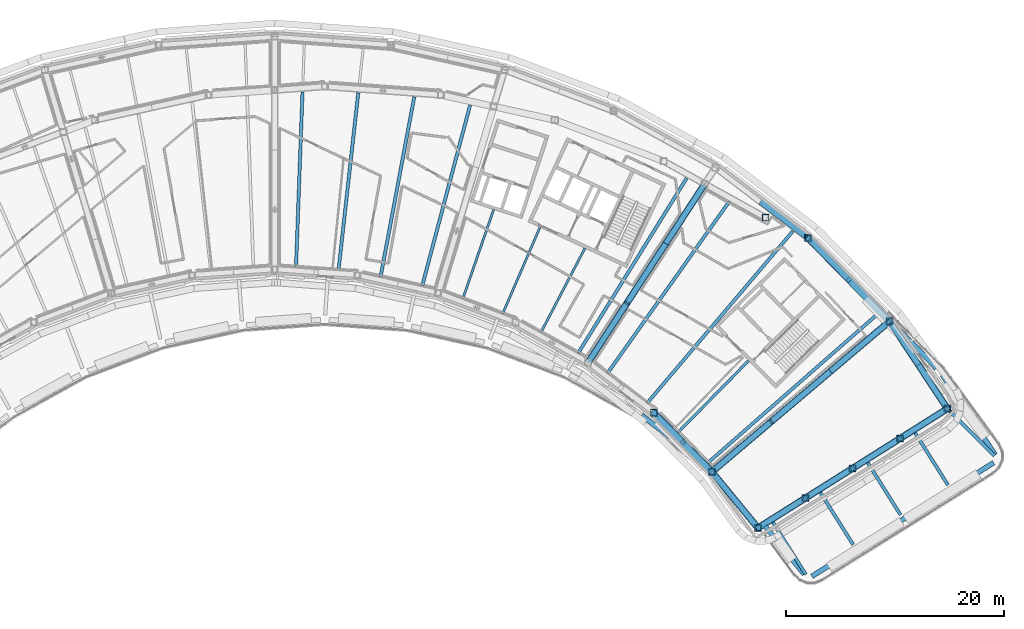
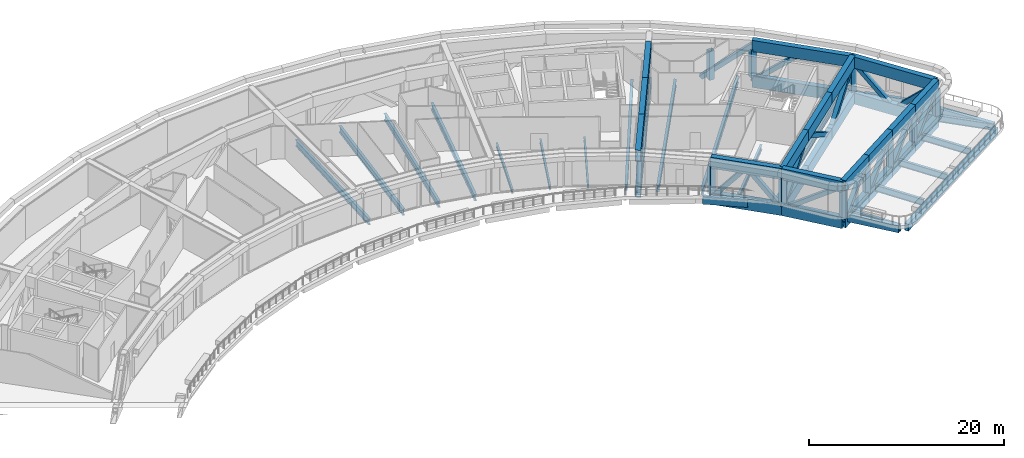
# One storey, part 4 of 24: 50 beams, 27 members.
"""IFC4 building model written with IfcOpenShell, lengths in metres."""

from ifc_helpers import new_model, si_unit, direction, frame, origin, origin_2d, place, context, subcontext, project, spatial, hollow_rectangle, i_section, extrude, material, material_profile, profile_set, type_object, element, save


model = new_model("IFC4")

# Units and contexts
model_context = context("Model", 3, precision=1e-05, world=origin(), true_north=direction((0.0, 1.0)))
body_context = subcontext(model_context, "Body", "Model", "MODEL_VIEW")
ifc_project = project(units=[si_unit("LENGTHUNIT", "METRE"), si_unit("AREAUNIT", "SQUARE_METRE"), si_unit("VOLUMEUNIT", "CUBIC_METRE"), si_unit("PLANEANGLEUNIT", "RADIAN"), si_unit("MASSUNIT", "GRAM", prefix="KILO")], contexts=[model_context])

# Site, building, storey
site_placement = place(None, origin())
site = spatial("IfcSite", under=ifc_project, at=site_placement, CompositionType="ELEMENT")
building_placement = place(site_placement, origin())
building = spatial("IfcBuilding", under=site, at=building_placement, Name="Tuul Gate Civic Tower", CompositionType="ELEMENT")
storey_placement = place(building_placement, frame((0.0, 0.0, 315.199951171875)))
storey = spatial("IfcBuildingStorey", under=building, at=storey_placement, Name="Plant and refuge floor 7", CompositionType="ELEMENT", Elevation=315.199951171875)

# Beams
ifc_material_1 = material(Name="Steel S355", Category="steel")
ifc_material_profile_1 = material_profile(ifc_material_1, i_section(OverallWidth=0.199951171875, OverallDepth=0.5, WebThickness=0.010009765625, FlangeThickness=0.01611328125, at=origin_2d()), Name="PG500x200x10x16")
ifc_profile_set_1 = profile_set([ifc_material_profile_1], Name="Steel S355")
beam_type_1 = type_object("IfcBeamType", Name="STR-FLOOR BEAM-PG500x200x10x16", PredefinedType="BEAM", material=ifc_profile_set_1)
beam_1_placement = place(storey_placement, frame((26.611083984375, -13.288330078125, -0.64990234375), z_axis=(0.462755423984, 0.886485994009, 0.0), x_axis=(-0.886485994009, 0.462755423984, 0.0)))
element("IfcBeam", 1, at=beam_1_placement, inside=storey, type_object=beam_type_1, Name="Floor beam", PredefinedType="BEAM", context=body_context, shape_type="SweptSolid", body=[
    extrude(i_section(OverallWidth=0.199951171875, OverallDepth=0.5, WebThickness=0.010009765625, FlangeThickness=0.01611328125, at=origin_2d()), origin(), (0.0, 0.0, 1.0), 8.677001953125),
])
beam_2_placement = place(storey_placement, frame((23.10009765625, -11.575927734375, -0.64990234375), z_axis=(0.395921762969, 0.918284246629, 0.0), x_axis=(-0.918284246629, 0.395921762969, 0.0)))
element("IfcBeam", 2, at=beam_2_placement, inside=storey, type_object=beam_type_1, Name="Floor beam", PredefinedType="BEAM", context=body_context, shape_type="SweptSolid", body=[
    extrude(i_section(OverallWidth=0.199951171875, OverallDepth=0.5, WebThickness=0.010009765625, FlangeThickness=0.01611328125, at=origin_2d()), origin(), (0.0, 0.0, 1.0), 8.60400390625),
])
beam_3_placement = place(storey_placement, frame((19.4462890625, -10.19384765625, -0.64990234375), z_axis=(0.326918020912, 0.945052700966, 0.0), x_axis=(-0.945052700966, 0.326918020912, 0.0)))
element("IfcBeam", 3, at=beam_3_placement, inside=storey, type_object=beam_type_1, Name="Floor beam", PredefinedType="BEAM", context=body_context, shape_type="SweptSolid", body=[
    extrude(i_section(OverallWidth=0.199951171875, OverallDepth=0.5, WebThickness=0.010009765625, FlangeThickness=0.01611328125, at=origin_2d()), origin(), (0.0, 0.0, 1.0), 8.623291015625),
])
ifc_material_2 = material(Name="Steel S355", Category="steel")
ifc_material_profile_2 = material_profile(ifc_material_2, i_section(OverallWidth=0.25, OverallDepth=0.64990234375, WebThickness=0.011962890625, FlangeThickness=0.02001953125, at=origin_2d()), Name="PG650x250x12x20")
ifc_profile_set_2 = profile_set([ifc_material_profile_2], Name="Steel S355")
beam_type_2 = type_object("IfcBeamType", Name="STR-FLOOR BEAM-PG650x250x12x20", PredefinedType="BEAM", material=ifc_profile_set_2)
beam_4_placement = place(storey_placement, frame((39.191650390625, -22.453125, -0.724853515625), z_axis=(0.701224809609, 0.712940226378, 0.0), x_axis=(-0.712940226378, 0.701224809609, 0.0)))
element("IfcBeam", 4, at=beam_4_placement, inside=storey, type_object=beam_type_2, Name="Floor beam", PredefinedType="BEAM", context=body_context, shape_type="SweptSolid", body=[
    extrude(i_section(OverallWidth=0.25, OverallDepth=0.64990234375, WebThickness=0.011962890625, FlangeThickness=0.02001953125, at=origin_2d()), origin(), (0.0, 0.0, 1.0), 9.190185546875),
])
ifc_material_3 = material(Name="Steel S355", Category="steel")
ifc_material_profile_3 = material_profile(ifc_material_3, i_section(OverallWidth=0.300048828125, OverallDepth=0.800048828125, WebThickness=0.013916015625, FlangeThickness=0.02490234375, at=origin_2d()), Name="PG800x300x14x25")
ifc_profile_set_3 = profile_set([ifc_material_profile_3], Name="Steel S355")
beam_type_3 = type_object("IfcBeamType", Name="STR-FLOOR BEAM-PG800x300x14x25", PredefinedType="BEAM", material=ifc_profile_set_3)
beam_5_placement = place(storey_placement, frame((41.9267578125, -25.243896484375, -0.800048828125), z_axis=(0.752023742184, 0.659136018734, 0.0), x_axis=(-0.659136018734, 0.752023742184, 0.0)))
element("IfcBeam", 5, at=beam_5_placement, inside=storey, type_object=beam_type_3, Name="Floor beam", PredefinedType="BEAM", context=body_context, shape_type="SweptSolid", body=[
    extrude(i_section(OverallWidth=0.300048828125, OverallDepth=0.800048828125, WebThickness=0.013916015625, FlangeThickness=0.02490234375, at=origin_2d()), origin(), (0.0, 0.0, 1.0), 20.632568359375),
])
beam_6_placement = place(storey_placement, frame((36.35009765625, -19.771484375, -0.800048828125), z_axis=(0.646590342327, 0.762837419907, 0.0), x_axis=(-0.762837419907, 0.646590342327, 0.0)))
element("IfcBeam", 6, at=beam_6_placement, inside=storey, type_object=beam_type_3, Name="Floor beam", PredefinedType="BEAM", context=body_context, shape_type="SweptSolid", body=[
    extrude(i_section(OverallWidth=0.300048828125, OverallDepth=0.800048828125, WebThickness=0.013916015625, FlangeThickness=0.02490234375, at=origin_2d()), origin(), (0.0, 0.0, 1.0), 20.6279296875),
])
beam_7_placement = place(storey_placement, frame((32.727294921875, -17.012939453125, -0.800048828125), z_axis=(0.578481800715, 0.81569529007, 0.0), x_axis=(-0.81569529007, 0.578481800715, 0.0)))
element("IfcBeam", 7, at=beam_7_placement, inside=storey, type_object=beam_type_3, Name="Floor beam", PredefinedType="BEAM", context=body_context, shape_type="SweptSolid", body=[
    extrude(i_section(OverallWidth=0.300048828125, OverallDepth=0.800048828125, WebThickness=0.013916015625, FlangeThickness=0.02490234375, at=origin_2d()), origin(), (0.0, 0.0, 1.0), 19.21826171875),
])
beam_8_placement = place(storey_placement, frame((30.0283203125, -15.18212890625, -0.800048828125), z_axis=(0.527016837121, 0.849854842541, 0.0), x_axis=(-0.849854842541, 0.527016837121, 0.0)))
element("IfcBeam", 8, at=beam_8_placement, inside=storey, type_object=beam_type_3, Name="Floor beam", PredefinedType="BEAM", context=body_context, shape_type="SweptSolid", body=[
    extrude(i_section(OverallWidth=0.300048828125, OverallDepth=0.800048828125, WebThickness=0.013916015625, FlangeThickness=0.02490234375, at=origin_2d()), origin(), (0.0, 0.0, 1.0), 18.830078125),
])
beam_9_placement = place(storey_placement, frame((15.717529296875, -9.030029296875, -0.800048828125), z_axis=(0.256141511574, 0.966639294695, 0.0), x_axis=(-0.966639294695, 0.256141511574, 0.0)))
element("IfcBeam", 9, at=beam_9_placement, inside=storey, type_object=beam_type_3, Name="Floor beam", PredefinedType="BEAM", context=body_context, shape_type="SweptSolid", body=[
    extrude(i_section(OverallWidth=0.300048828125, OverallDepth=0.800048828125, WebThickness=0.013916015625, FlangeThickness=0.02490234375, at=origin_2d()), origin(), (0.0, 0.0, 1.0), 17.11572265625),
])
beam_10_placement = place(storey_placement, frame((11.902587890625, -8.189697265625, -0.800048828125), z_axis=(0.183964917097, 0.982932810154, 0.0), x_axis=(-0.982932810154, 0.183964917097, 0.0)))
element("IfcBeam", 10, at=beam_10_placement, inside=storey, type_object=beam_type_3, Name="Floor beam", PredefinedType="BEAM", context=body_context, shape_type="SweptSolid", body=[
    extrude(i_section(OverallWidth=0.300048828125, OverallDepth=0.800048828125, WebThickness=0.013916015625, FlangeThickness=0.02490234375, at=origin_2d()), origin(), (0.0, 0.0, 1.0), 16.7626953125),
])
beam_11_placement = place(storey_placement, frame((8.041015625, -7.60107421875, -0.800048828125), z_axis=(0.110783650603, 0.993844546576, 0.0), x_axis=(-0.993844546576, 0.110783650603, 0.0)))
element("IfcBeam", 11, at=beam_11_placement, inside=storey, type_object=beam_type_3, Name="Floor beam", PredefinedType="BEAM", context=body_context, shape_type="SweptSolid", body=[
    extrude(i_section(OverallWidth=0.300048828125, OverallDepth=0.800048828125, WebThickness=0.013916015625, FlangeThickness=0.02490234375, at=origin_2d()), origin(), (0.0, 0.0, 1.0), 16.360595703125),
])
beam_12_placement = place(storey_placement, frame((4.14501953125, -7.318603515625, -0.800048828125), z_axis=(0.03699591951, 0.999315416643, 0.0), x_axis=(-0.999315416643, 0.03699591951, 0.0)))
element("IfcBeam", 12, at=beam_12_placement, inside=storey, type_object=beam_type_3, Name="Floor beam", PredefinedType="BEAM", context=body_context, shape_type="SweptSolid", body=[
    extrude(i_section(OverallWidth=0.300048828125, OverallDepth=0.800048828125, WebThickness=0.013916015625, FlangeThickness=0.02490234375, at=origin_2d()), origin(), (0.0, 0.0, 1.0), 16.062255859375),
])
beam_13_placement = place(storey_placement, frame((68.17626953125, -24.614013671875, -0.800048828125), z_axis=(-0.707043641955, 0.707169914781, 0.0), x_axis=(-0.707169914781, -0.707043641955, 0.0)))
element("IfcBeam", 13, at=beam_13_placement, inside=storey, type_object=beam_type_3, Name="Terrace beam", PredefinedType="BEAM", context=body_context, shape_type="SweptSolid", body=[
    extrude(i_section(OverallWidth=0.300048828125, OverallDepth=0.800048828125, WebThickness=0.013916015625, FlangeThickness=0.02490234375, at=origin_2d()), origin(), (0.0, 0.0, 1.0), 5.80029296875),
])
for number, where, z_axis, x_axis, name in (
    (14, (50.875732421875, -35.49658203125, -0.800048828125), (-0.532980930145, 0.846127252901, 0.0), (-0.846127252901, -0.532980930145, 0.0), "Terrace beam"),
    (15, (55.218994140625, -32.761474609375, -0.800048828125), (-0.532747809571, 0.846274052183, 0.0), (-0.846274052183, -0.532747809571, 0.0), "Terrace beam"),
    (16, (59.560791015625, -30.027587890625, -0.800048828125), (-0.532980930145, 0.846127252901, 0.0), (-0.846127252901, -0.532980930145, 0.0), "Terrace beam"),
):
    element("IfcBeam", number, at=place(storey_placement, frame(where, z_axis=z_axis, x_axis=x_axis)), inside=storey, type_object=beam_type_3, Name=name, PredefinedType="BEAM", context=body_context, shape_type="SweptSolid", body=[
        extrude(i_section(OverallWidth=0.300048828125, OverallDepth=0.800048828125, WebThickness=0.013916015625, FlangeThickness=0.02490234375, at=origin_2d()), origin(), (0.0, 0.0, 1.0), 5.638427734375),
    ])
beam_14_placement = place(storey_placement, frame((63.90380859375, -27.29248046875, -0.800048828125), z_axis=(-0.532891353941, 0.846183670898, 0.0), x_axis=(-0.846183670898, -0.532891353941, 0.0)))
element("IfcBeam", 17, at=beam_14_placement, inside=storey, type_object=beam_type_3, Name="Terrace beam", PredefinedType="BEAM", context=body_context, shape_type="SweptSolid", body=[
    extrude(i_section(OverallWidth=0.300048828125, OverallDepth=0.800048828125, WebThickness=0.013916015625, FlangeThickness=0.02490234375, at=origin_2d()), origin(), (0.0, 0.0, 1.0), 5.638916015625),
])
ifc_material_4 = material(Name="Steel S355", Category="steel")
ifc_material_profile_4 = material_profile(ifc_material_4, hollow_rectangle(XDim=0.449951171875, YDim=0.89990234375, WallThickness=0.02490234375, at=origin_2d()), Name="BOX900x450x25")
ifc_profile_set_4 = profile_set([ifc_material_profile_4], Name="Steel S355")
beam_type_4 = type_object("IfcBeamType", Name="STR-SPANDREL BEAM-BOX900x450x25", PredefinedType="BEAM", material=ifc_profile_set_4)
beam_15_placement = place(storey_placement, frame((68.240966796875, -24.539794921875, -0.849853515625), z_axis=(-0.55126589804, 0.834329616913, 0.0), x_axis=(-0.834329616913, -0.55126589804, 0.0)))
element("IfcBeam", 18, at=beam_15_placement, inside=storey, type_object=beam_type_4, Name="Terrace edge beam", PredefinedType="BEAM", context=body_context, shape_type="SweptSolid", body=[
    extrude(hollow_rectangle(XDim=0.449951171875, YDim=0.89990234375, WallThickness=0.02490234375, at=origin_2d()), origin(), (0.0, 0.0, 1.0), 8.788818359375),
])
beam_16_placement = place(storey_placement, frame((62.8798828125, -16.598388671875, -0.849853515625), z_axis=(-0.69998192665, 0.714160557832, 0.0), x_axis=(-0.714160557832, -0.69998192665, 0.0)))
element("IfcBeam", 19, at=beam_16_placement, inside=storey, type_object=beam_type_4, Name="Terrace edge beam", PredefinedType="BEAM", context=body_context, shape_type="SweptSolid", body=[
    extrude(hollow_rectangle(XDim=0.449951171875, YDim=0.89990234375, WallThickness=0.02490234375, at=origin_2d()), origin(), (0.0, 0.0, 1.0), 4.855712890625),
])
beam_17_placement = place(storey_placement, frame((35.833251953125, -20.914306640625, -0.849853515625), z_axis=(0.795613382926, -0.605804708557, 0.0), x_axis=(0.605804708557, 0.795613382926, 0.0)))
element("IfcBeam", 20, at=beam_17_placement, inside=storey, type_object=beam_type_4, Name="Terrace edge beam", PredefinedType="BEAM", context=body_context, shape_type="SweptSolid", body=[
    extrude(hollow_rectangle(XDim=0.449951171875, YDim=0.89990234375, WallThickness=0.02490234375, at=origin_2d()), origin(), (0.0, 0.0, 1.0), 4.657470703125),
])
beam_18_placement = place(storey_placement, frame((47.131591796875, -31.052490234375, -0.849853515625), z_axis=(0.630928291814, -0.775841150358, 0.0), x_axis=(0.775841150358, 0.630928291814, 0.0)))
element("IfcBeam", 21, at=beam_18_placement, inside=storey, type_object=beam_type_4, Name="Terrace edge beam", PredefinedType="BEAM", context=body_context, shape_type="SweptSolid", body=[
    extrude(hollow_rectangle(XDim=0.449951171875, YDim=0.89990234375, WallThickness=0.02490234375, at=origin_2d()), origin(), (0.0, 0.0, 1.0), 5.6943359375),
])
beam_19_placement = place(storey_placement, frame((51.443603515625, -35.669189453125, -0.849853515625), z_axis=(0.847982936522, 0.530023527184, 0.0), x_axis=(-0.530023527184, 0.847982936522, 0.0)))
element("IfcBeam", 22, at=beam_19_placement, inside=storey, type_object=beam_type_4, Name="Terrace edge beam", PredefinedType="BEAM", context=body_context, shape_type="SweptSolid", body=[
    extrude(hollow_rectangle(XDim=0.449951171875, YDim=0.89990234375, WallThickness=0.02490234375, at=origin_2d()), origin(), (0.0, 0.0, 1.0), 19.635986328125),
])
ifc_material_5 = material(Name="Steel S460", Category="steel")
ifc_material_profile_5 = material_profile(ifc_material_5, hollow_rectangle(XDim=0.60009765625, YDim=1.39990234375, WallThickness=0.031982421875, at=origin_2d()), Name="BOX1400x600x32")
ifc_profile_set_5 = profile_set([ifc_material_profile_5], Name="Steel S460")
beam_type_5 = type_object("IfcBeamType", Name="STR-TRANSFER TRUSS CHORD-BOX1400x600x32", PredefinedType="BEAM", material=ifc_profile_set_5)
beam_20_placement = place(storey_placement, frame((58.56396484375, -12.2880859375, -1.099853515625), z_axis=(-0.762827934926, -0.646601532396, 0.0), x_axis=(0.646601532396, -0.762827934926, 0.0)))
element("IfcBeam", 23, at=beam_20_placement, inside=storey, type_object=beam_type_5, Name="Radial truss bottom chord", PredefinedType="BEAM", context=body_context, shape_type="SweptSolid", body=[
    extrude(hollow_rectangle(XDim=0.60009765625, YDim=1.39990234375, WallThickness=0.031982421875, at=origin_2d()), origin(), (0.0, 0.0, 1.0), 7.118896484375),
])
beam_21_placement = place(storey_placement, frame((53.133544921875, -16.89111328125, -1.099853515625), z_axis=(-0.762830512402, -0.646598491607, 0.0), x_axis=(0.646598491607, -0.762830512402, 0.0)))
element("IfcBeam", 24, at=beam_21_placement, inside=storey, type_object=beam_type_5, Name="Radial truss bottom chord", PredefinedType="BEAM", context=body_context, shape_type="SweptSolid", body=[
    extrude(hollow_rectangle(XDim=0.60009765625, YDim=1.39990234375, WallThickness=0.031982421875, at=origin_2d()), origin(), (0.0, 0.0, 1.0), 7.118408203125),
])
for number, where, z_axis, x_axis, name in (
    (25, (47.703369140625, -21.493896484375, -1.099853515625), (-0.762827934926, -0.646601532396, 0.0), (0.646601532396, -0.762827934926, 0.0), "Radial truss bottom chord"),
    (26, (58.56396484375, -12.2880859375, 3.400146484375), (-0.762827934926, -0.646601532396, 0.0), (0.646601532396, -0.762827934926, 0.0), "Radial truss top chord"),
):
    element("IfcBeam", number, at=place(storey_placement, frame(where, z_axis=z_axis, x_axis=x_axis)), inside=storey, type_object=beam_type_5, Name=name, PredefinedType="BEAM", context=body_context, shape_type="SweptSolid", body=[
        extrude(hollow_rectangle(XDim=0.60009765625, YDim=1.39990234375, WallThickness=0.031982421875, at=origin_2d()), origin(), (0.0, 0.0, 1.0), 7.118896484375),
    ])
beam_22_placement = place(storey_placement, frame((53.133544921875, -16.89111328125, 3.400146484375), z_axis=(-0.762830512402, -0.646598491607, 0.0), x_axis=(0.646598491607, -0.762830512402, 0.0)))
element("IfcBeam", 27, at=beam_22_placement, inside=storey, type_object=beam_type_5, Name="Radial truss top chord", PredefinedType="BEAM", context=body_context, shape_type="SweptSolid", body=[
    extrude(hollow_rectangle(XDim=0.60009765625, YDim=1.39990234375, WallThickness=0.031982421875, at=origin_2d()), origin(), (0.0, 0.0, 1.0), 7.118408203125),
])
beam_23_placement = place(storey_placement, frame((47.703369140625, -21.493896484375, 3.400146484375), z_axis=(-0.762827934926, -0.646601532396, 0.0), x_axis=(0.646601532396, -0.762827934926, 0.0)))
element("IfcBeam", 28, at=beam_23_placement, inside=storey, type_object=beam_type_5, Name="Radial truss top chord", PredefinedType="BEAM", context=body_context, shape_type="SweptSolid", body=[
    extrude(hollow_rectangle(XDim=0.60009765625, YDim=1.39990234375, WallThickness=0.031982421875, at=origin_2d()), origin(), (0.0, 0.0, 1.0), 7.118896484375),
])
for number, where, z_axis, x_axis, name in (
    (29, (41.612060546875, 0.301025390625, -1.099853515625), (-0.546724610941, -0.837312486346, 0.0), (0.837312486346, -0.546724610941, 0.0), "Radial truss bottom chord"),
    (30, (38.047607421875, -5.157958984375, -1.099853515625), (-0.546698356412, -0.837329628699, 0.0), (0.837329628699, -0.546698356412, 0.0), "Radial truss bottom chord"),
    (31, (34.4833984375, -10.616943359375, -1.099853515625), (-0.546724610941, -0.837312486346, 0.0), (0.837312486346, -0.546724610941, 0.0), "Radial truss bottom chord"),
    (32, (41.612060546875, 0.301025390625, 3.400146484375), (-0.546724610941, -0.837312486346, 0.0), (0.837312486346, -0.546724610941, 0.0), "Radial truss top chord"),
    (33, (38.047607421875, -5.157958984375, 3.400146484375), (-0.546698356412, -0.837329628699, 0.0), (0.837329628699, -0.546698356412, 0.0), "Radial truss top chord"),
    (34, (34.4833984375, -10.616943359375, 3.400146484375), (-0.546724610941, -0.837312486346, 0.0), (0.837312486346, -0.546724610941, 0.0), "Radial truss top chord"),
):
    element("IfcBeam", number, at=place(storey_placement, frame(where, z_axis=z_axis, x_axis=x_axis)), inside=storey, type_object=beam_type_5, Name=name, PredefinedType="BEAM", context=body_context, shape_type="SweptSolid", body=[
        extrude(hollow_rectangle(XDim=0.60009765625, YDim=1.39990234375, WallThickness=0.031982421875, at=origin_2d()), origin(), (0.0, 0.0, 1.0), 6.51953125),
    ])
for number, where, z_axis, x_axis, name in (
    (35, (58.56396484375, -12.2880859375, -1.099853515625), (-0.699994363812, 0.71414836738, 0.0), (-0.71414836738, -0.699994363812, 0.0), "Belt truss bottom chord"),
    (36, (58.56396484375, -12.2880859375, 3.400146484375), (-0.699994363812, 0.71414836738, 0.0), (-0.71414836738, -0.699994363812, 0.0), "Belt truss top chord"),
):
    element("IfcBeam", number, at=place(storey_placement, frame(where, z_axis=z_axis, x_axis=x_axis)), inside=storey, type_object=beam_type_5, Name=name, PredefinedType="BEAM", context=body_context, shape_type="SweptSolid", body=[
        extrude(hollow_rectangle(XDim=0.60009765625, YDim=1.39990234375, WallThickness=0.031982421875, at=origin_2d()), origin(), (0.0, 0.0, 1.0), 10.677001953125),
    ])
for number, where, z_axis, x_axis, name in (
    (37, (63.863037109375, -20.300048828125, -1.099853515625), (-0.551652439402, 0.834074089097, 0.0), (-0.834074089097, -0.551652439402, 0.0), "Belt truss bottom chord"),
    (38, (63.863037109375, -20.300048828125, 3.400146484375), (-0.551652439402, 0.834074089097, 0.0), (-0.834074089097, -0.551652439402, 0.0), "Belt truss top chord"),
):
    element("IfcBeam", number, at=place(storey_placement, frame(where, z_axis=z_axis, x_axis=x_axis)), inside=storey, type_object=beam_type_5, Name=name, PredefinedType="BEAM", context=body_context, shape_type="SweptSolid", body=[
        extrude(hollow_rectangle(XDim=0.60009765625, YDim=1.39990234375, WallThickness=0.031982421875, at=origin_2d()), origin(), (0.0, 0.0, 1.0), 9.605712890625),
    ])
for number, where, z_axis, x_axis, name in (
    (39, (36.958984375, -20.675048828125, -1.099853515625), (0.699964014353, -0.714178114066, 0.0), (0.714178114066, 0.699964014353, 0.0), "Belt truss bottom chord"),
    (40, (36.958984375, -20.675048828125, 3.400146484375), (0.699964014353, -0.714178114066, 0.0), (0.714178114066, 0.699964014353, 0.0), "Belt truss top chord"),
):
    element("IfcBeam", number, at=place(storey_placement, frame(where, z_axis=z_axis, x_axis=x_axis)), inside=storey, type_object=beam_type_5, Name=name, PredefinedType="BEAM", context=body_context, shape_type="SweptSolid", body=[
        extrude(hollow_rectangle(XDim=0.60009765625, YDim=1.39990234375, WallThickness=0.031982421875, at=origin_2d()), origin(), (0.0, 0.0, 1.0), 7.591796875),
    ])
for number, where, z_axis, x_axis, name in (
    (41, (42.27294921875, -26.096923828125, -1.099853515625), (0.634390286361, -0.773012913586, 0.0), (0.773012913586, 0.634390286361, 0.0), "Belt truss bottom chord"),
    (42, (42.27294921875, -26.096923828125, 3.400146484375), (0.634390286361, -0.773012913586, 0.0), (0.773012913586, 0.634390286361, 0.0), "Belt truss top chord"),
):
    element("IfcBeam", number, at=place(storey_placement, frame(where, z_axis=z_axis, x_axis=x_axis)), inside=storey, type_object=beam_type_5, Name=name, PredefinedType="BEAM", context=body_context, shape_type="SweptSolid", body=[
        extrude(hollow_rectangle(XDim=0.60009765625, YDim=1.39990234375, WallThickness=0.031982421875, at=origin_2d()), origin(), (0.0, 0.0, 1.0), 6.652099609375),
    ])
for number, where, z_axis, x_axis, name in (
    (43, (59.52001953125, -23.034912109375, -1.099853515625), (0.846200269344, 0.532864996188, 0.0), (-0.532864996188, 0.846200269344, 0.0), "Belt truss bottom chord"),
    (44, (59.52001953125, -23.034912109375, 3.400146484375), (0.846200269344, 0.532864996188, 0.0), (-0.532864996188, 0.846200269344, 0.0), "Belt truss top chord"),
):
    element("IfcBeam", number, at=place(storey_placement, frame(where, z_axis=z_axis, x_axis=x_axis)), inside=storey, type_object=beam_type_5, Name=name, PredefinedType="BEAM", context=body_context, shape_type="SweptSolid", body=[
        extrude(hollow_rectangle(XDim=0.60009765625, YDim=1.39990234375, WallThickness=0.031982421875, at=origin_2d()), origin(), (0.0, 0.0, 1.0), 5.13232421875),
    ])
for number, where, z_axis, x_axis, name in (
    (45, (50.8349609375, -28.50390625, -1.099853515625), (0.846286064045, 0.532728728156, 0.0), (-0.532728728156, 0.846286064045, 0.0), "Belt truss bottom chord"),
    (46, (50.8349609375, -28.50390625, 3.400146484375), (0.846286064045, 0.532728728156, 0.0), (-0.532728728156, 0.846286064045, 0.0), "Belt truss top chord"),
):
    element("IfcBeam", number, at=place(storey_placement, frame(where, z_axis=z_axis, x_axis=x_axis)), inside=storey, type_object=beam_type_5, Name=name, PredefinedType="BEAM", context=body_context, shape_type="SweptSolid", body=[
        extrude(hollow_rectangle(XDim=0.60009765625, YDim=1.39990234375, WallThickness=0.031982421875, at=origin_2d()), origin(), (0.0, 0.0, 1.0), 5.1318359375),
    ])
for number, where, z_axis, x_axis, name in (
    (47, (55.177978515625, -25.77001953125, -1.099853515625), (0.846124773729, 0.532984865903, 0.0), (-0.532984865903, 0.846124773729, 0.0), "Belt truss bottom chord"),
    (48, (55.177978515625, -25.77001953125, 3.400146484375), (0.846124773729, 0.532984865903, 0.0), (-0.532984865903, 0.846124773729, 0.0), "Belt truss top chord"),
    (49, (46.492919921875, -31.239013671875, -1.099853515625), (0.846124773729, 0.532984865903, 0.0), (-0.532984865903, 0.846124773729, 0.0), "Belt truss bottom chord"),
    (50, (46.492919921875, -31.239013671875, 3.400146484375), (0.846124773729, 0.532984865903, 0.0), (-0.532984865903, 0.846124773729, 0.0), "Belt truss top chord"),
):
    element("IfcBeam", number, at=place(storey_placement, frame(where, z_axis=z_axis, x_axis=x_axis)), inside=storey, type_object=beam_type_5, Name=name, PredefinedType="BEAM", context=body_context, shape_type="SweptSolid", body=[
        extrude(hollow_rectangle(XDim=0.60009765625, YDim=1.39990234375, WallThickness=0.031982421875, at=origin_2d()), origin(), (0.0, 0.0, 1.0), 5.131591796875),
    ])

# Members
ifc_material_6 = material(Name="Steel S355", Category="steel")
ifc_material_profile_6 = material_profile(ifc_material_6, hollow_rectangle(XDim=0.5, YDim=0.5, WallThickness=0.02001953125, at=origin_2d()), Name="BOX500x500x20")
ifc_profile_set_6 = profile_set([ifc_material_profile_6], Name="Steel S355")
member_type_1 = type_object("IfcMemberType", Name="STR-TRANSFER TRUSS DIAGONAL-BOX500x500x20", PredefinedType="BRACE", material=ifc_profile_set_6)
for number, where, z_axis, x_axis, name in (
    (51, (53.13037109375, -16.893798828125, -1.1025390625), (0.644788037798, 0.54657433156, 0.534326572793), (-0.646620696172, 0.762811690578, 0.0), "Radial truss web"),
    (52, (53.136962890625, -16.88818359375, -1.1025390625), (-0.644788037798, -0.54657433156, 0.534326572793), (0.646620696172, -0.762811690578, 0.0), "Radial truss web"),
    (53, (42.269775390625, -26.099853515625, -1.1025390625), (0.644788037798, 0.54657433156, 0.534326572793), (-0.646620696172, 0.762811690578, 0.0), "Radial truss web"),
):
    element("IfcMember", number, at=place(storey_placement, frame(where, z_axis=z_axis, x_axis=x_axis)), inside=storey, type_object=member_type_1, Name=name, PredefinedType="BRACE", context=body_context, shape_type="SweptSolid", body=[
        extrude(hollow_rectangle(XDim=0.5, YDim=0.5, WallThickness=0.02001953125, at=origin_2d()), origin(), (0.0, 0.0, 1.0), 8.431884765625),
    ])
for number, where, z_axis, x_axis, name in (
    (54, (38.04541015625, -5.161376953125, -1.102783203125), (0.449945347959, 0.689107706259, 0.568049076247), (-0.837317325543, 0.546717199606, 0.0), "Radial truss web"),
    (55, (38.050048828125, -5.154541015625, -1.102783203125), (-0.449945347959, -0.689107706259, 0.568049076247), (0.837317325543, -0.546717199606, 0.0), "Radial truss web"),
    (56, (30.916748046875, -16.079345703125, -1.102783203125), (0.449945347959, 0.689107706259, 0.568049076247), (-0.837317325543, 0.546717199606, 0.0), "Radial truss web"),
):
    element("IfcMember", number, at=place(storey_placement, frame(where, z_axis=z_axis, x_axis=x_axis)), inside=storey, type_object=member_type_1, Name=name, PredefinedType="BRACE", context=body_context, shape_type="SweptSolid", body=[
        extrude(hollow_rectangle(XDim=0.5, YDim=0.5, WallThickness=0.02001953125, at=origin_2d()), origin(), (0.0, 0.0, 1.0), 7.931640625),
    ])
member_1_placement = place(storey_placement, frame((46.8388671875, -1.4267578125, -1.103271484375), z_axis=(0.608386645762, -0.463141971652, 0.644488326778), x_axis=(0.605719855352, 0.79567798564, 0.0)))
element("IfcMember", 57, at=member_1_placement, inside=storey, type_object=member_type_1, Name="Belt truss web", PredefinedType="BRACE", context=body_context, shape_type="SweptSolid", body=[
    extrude(hollow_rectangle(XDim=0.5, YDim=0.5, WallThickness=0.02001953125, at=origin_2d()), origin(), (0.0, 0.0, 1.0), 6.992431640625),
])
member_2_placement = place(storey_placement, frame((51.08740234375, -4.66015625, -1.103271484375), z_axis=(0.535191946696, -0.546050812525, 0.644513840296), x_axis=(0.714172203399, 0.699970044996, 0.0)))
element("IfcMember", 58, at=member_2_placement, inside=storey, type_object=member_type_1, Name="Belt truss web", PredefinedType="BRACE", context=body_context, shape_type="SweptSolid", body=[
    extrude(hollow_rectangle(XDim=0.5, YDim=0.5, WallThickness=0.02001953125, at=origin_2d()), origin(), (0.0, 0.0, 1.0), 6.9921875),
])
member_3_placement = place(storey_placement, frame((61.21142578125, -16.291015625, -1.103271484375), z_axis=(0.402569292294, -0.608650398405, 0.683727034294), x_axis=(0.834067180508, 0.55166288474, 0.0)))
element("IfcMember", 59, at=member_3_placement, inside=storey, type_object=member_type_1, Name="Belt truss web", PredefinedType="BRACE", context=body_context, shape_type="SweptSolid", body=[
    extrude(hollow_rectangle(XDim=0.5, YDim=0.5, WallThickness=0.02001953125, at=origin_2d()), origin(), (0.0, 0.0, 1.0), 6.591552734375),
])
member_4_placement = place(storey_placement, frame((61.215576171875, -16.297119140625, -1.103271484375), z_axis=(-0.402560217053, 0.608673714882, 0.68371162083), x_axis=(-0.834082626084, -0.551639531636, 0.0)))
element("IfcMember", 60, at=member_4_placement, inside=storey, type_object=member_type_1, Name="Belt truss web", PredefinedType="BRACE", context=body_context, shape_type="SweptSolid", body=[
    extrude(hollow_rectangle(XDim=0.5, YDim=0.5, WallThickness=0.02001953125, at=origin_2d()), origin(), (0.0, 0.0, 1.0), 6.591796875),
])
for number, where, z_axis, x_axis, name in (
    (61, (36.956787109375, -20.672607421875, -1.103759765625), (0.451304837811, -0.460495707822, 0.764374022613), (0.714198073899, 0.699943648617, 0.0), "Belt truss web"),
    (62, (42.275146484375, -26.099365234375, -1.103759765625), (-0.451304837811, 0.460495707822, 0.764374022613), (-0.714198073899, -0.699943648617, 0.0), "Belt truss web"),
):
    element("IfcMember", number, at=place(storey_placement, frame(where, z_axis=z_axis, x_axis=x_axis)), inside=storey, type_object=member_type_1, Name=name, PredefinedType="BRACE", context=body_context, shape_type="SweptSolid", body=[
        extrude(hollow_rectangle(XDim=0.5, YDim=0.5, WallThickness=0.02001953125, at=origin_2d()), origin(), (0.0, 0.0, 1.0), 5.89697265625),
    ])
member_5_placement = place(storey_placement, frame((42.270263671875, -26.09375, -1.102783203125), z_axis=(0.525463250337, -0.640259376154, 0.560318038075), x_axis=(0.773001004128, 0.634404797915, 0.0)))
element("IfcMember", 63, at=member_5_placement, inside=storey, type_object=member_type_1, Name="Belt truss web", PredefinedType="BRACE", context=body_context, shape_type="SweptSolid", body=[
    extrude(hollow_rectangle(XDim=0.5, YDim=0.5, WallThickness=0.02001953125, at=origin_2d()), origin(), (0.0, 0.0, 1.0), 8.041259765625),
])
member_6_placement = place(storey_placement, frame((59.516845703125, -23.037109375, -1.103271484375), z_axis=(0.636260198505, 0.400684993939, 0.659260567174), x_axis=(-0.532886335228, 0.846186831455, 0.0)))
element("IfcMember", 64, at=member_6_placement, inside=storey, type_object=member_type_1, Name="Belt truss web", PredefinedType="BRACE", context=body_context, shape_type="SweptSolid", body=[
    extrude(hollow_rectangle(XDim=0.5, YDim=0.5, WallThickness=0.02001953125, at=origin_2d()), origin(), (0.0, 0.0, 1.0), 6.8359375),
])
member_7_placement = place(storey_placement, frame((50.831787109375, -28.506103515625, -1.103271484375), z_axis=(0.63629661571, 0.400565060072, 0.659298300836), x_axis=(-0.532750272584, 0.846272501657, 0.0)))
element("IfcMember", 65, at=member_7_placement, inside=storey, type_object=member_type_1, Name="Belt truss web", PredefinedType="BRACE", context=body_context, shape_type="SweptSolid", body=[
    extrude(hollow_rectangle(XDim=0.5, YDim=0.5, WallThickness=0.02001953125, at=origin_2d()), origin(), (0.0, 0.0, 1.0), 6.83544921875),
])
for number, where, z_axis, x_axis, name in (
    (66, (55.1748046875, -25.77197265625, -1.103271484375), (0.63617516084, 0.400721415387, 0.659320492614), (-0.532972018739, 0.846132866187, 0.0), "Belt truss web"),
    (67, (46.48974609375, -31.240966796875, -1.103271484375), (0.63617516084, 0.400721415387, 0.659320492614), (-0.532972018739, 0.846132866187, 0.0), "Belt truss web"),
):
    element("IfcMember", number, at=place(storey_placement, frame(where, z_axis=z_axis, x_axis=x_axis)), inside=storey, type_object=member_type_1, Name=name, PredefinedType="BRACE", context=body_context, shape_type="SweptSolid", body=[
        extrude(hollow_rectangle(XDim=0.5, YDim=0.5, WallThickness=0.02001953125, at=origin_2d()), origin(), (0.0, 0.0, 1.0), 6.835205078125),
    ])
ifc_material_7 = material(Name="Steel S355", Category="steel")
ifc_material_profile_7 = material_profile(ifc_material_7, hollow_rectangle(XDim=0.60009765625, YDim=0.60009765625, WallThickness=0.028076171875, at=origin_2d()), Name="BOX600x600x28")
ifc_profile_set_7 = profile_set([ifc_material_profile_7], Name="Steel S355")
member_type_2 = type_object("IfcMemberType", Name="STR-TRUSS POST-BOX600x600x28", PredefinedType="POST", material=ifc_profile_set_7)
for number, where, z_axis, x_axis, name in (
    (68, (58.56396484375, -12.2880859375, -0.64501953125), (0.0, 0.0, 1.0), (1.0, 0.0, 0.0), "Radial truss post"),
    (69, (42.27294921875, -26.096923828125, -0.64501953125), (0.0, 0.0, 1.0), (1.0, 0.0, 0.0), "Radial truss post"),
    (70, (51.090087890625, -4.6630859375, -0.64501953125), (0.0, 0.0, 1.0), (1.0, 0.0, 0.0), "Belt truss post"),
    (71, (47.19091796875, -2.791015625, -0.64501953125), (0.0, 0.0, 1.0), (1.0, 0.0, 0.0), "Belt truss post"),
    (72, (63.863037109375, -20.300048828125, -0.64501953125), (0.0, 0.0, 1.0), (1.0, 0.0, 0.0), "Belt truss post"),
    (73, (36.958984375, -20.675048828125, -0.64501953125), (0.0, 0.0, 1.0), (1.0, 0.0, 0.0), "Belt truss post"),
    (74, (46.492919921875, -31.239013671875, -0.64501953125), (0.0, 0.0, 1.0), (1.0, 0.0, 0.0), "Belt truss post"),
    (75, (59.52001953125, -23.034912109375, -0.64501953125), (0.0, 0.0, 1.0), (1.0, 0.0, 0.0), "Belt truss post"),
    (76, (50.8349609375, -28.50390625, -0.64501953125), (0.0, 0.0, 1.0), (1.0, 0.0, 0.0), "Belt truss post"),
    (77, (55.177978515625, -25.77001953125, -0.64501953125), (0.0, 0.0, 1.0), (1.0, 0.0, 0.0), "Belt truss post"),
):
    element("IfcMember", number, at=place(storey_placement, frame(where, z_axis=z_axis, x_axis=x_axis)), inside=storey, type_object=member_type_2, Name=name, PredefinedType="POST", context=body_context, shape_type="SweptSolid", body=[
        extrude(hollow_rectangle(XDim=0.60009765625, YDim=0.60009765625, WallThickness=0.028076171875, at=origin_2d()), origin(), (0.0, 0.0, 1.0), 3.590087890625),
    ])

save(model, "model.ifc")
